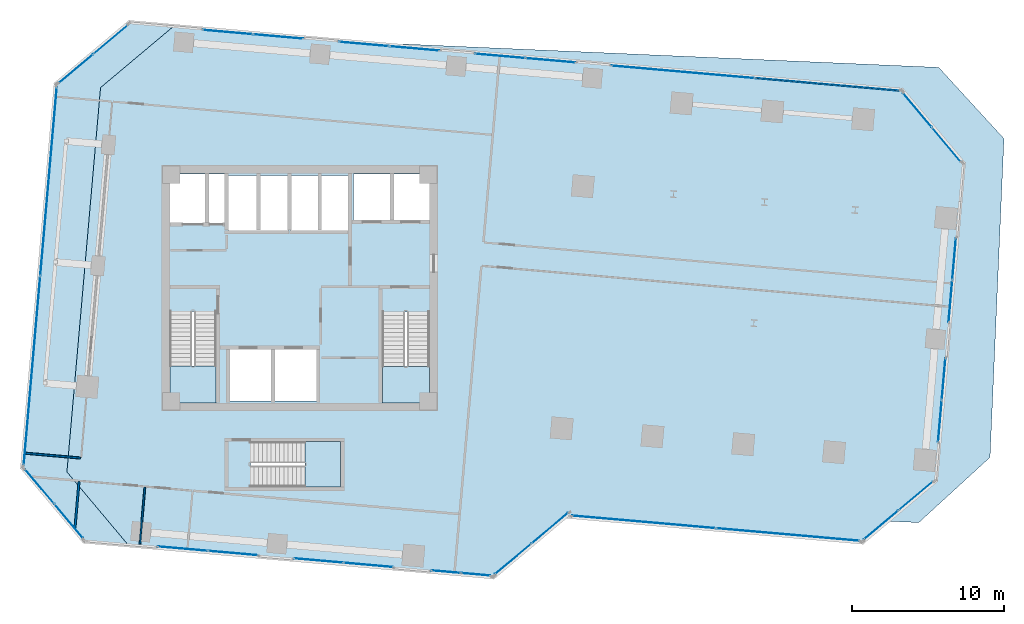
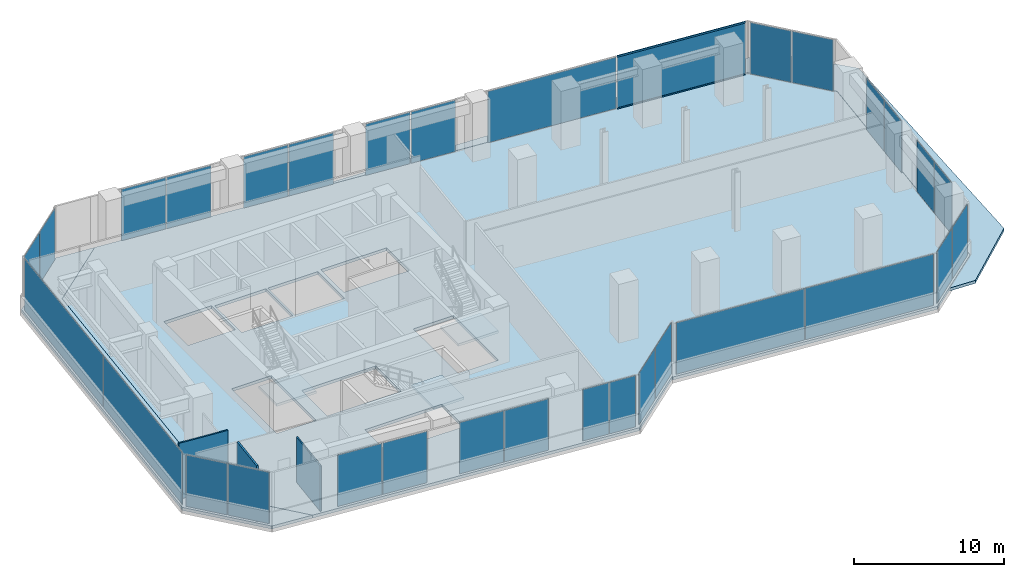
# One storey, part 19 of 24: 32 plates, 6 slabs, 3 walls, 2 members, 19 elements without a shape of their own.
"""IFC4 building model written with IfcOpenShell, lengths in metres."""

from ifc_helpers import new_model, si_unit, direction, frame, frame_2d, origin, origin_2d, place, context, subcontext, project, spatial, polyline, rectangle, hollow_rectangle, outline, extrude, source, transform, mapped, material, layer, layer_set, material_profile, profile_set, type_object, element, aggregate, save


model = new_model("IFC4")

# Units and contexts
model_context = context("Model", 3, precision=1e-05, world=origin(), true_north=direction((0.0, 1.0)))
body_context = subcontext(model_context, "Body", "Model", "MODEL_VIEW")
ifc_project = project(units=[si_unit("LENGTHUNIT", "METRE"), si_unit("AREAUNIT", "SQUARE_METRE"), si_unit("VOLUMEUNIT", "CUBIC_METRE"), si_unit("PLANEANGLEUNIT", "RADIAN"), si_unit("MASSUNIT", "GRAM", prefix="KILO")], contexts=[model_context])

# Site, building, storey
site_placement = place(None, origin())
site = spatial("IfcSite", under=ifc_project, at=site_placement, CompositionType="ELEMENT")
building_placement = place(site_placement, origin())
building = spatial("IfcBuilding", under=site, at=building_placement, Name="Torre Montelarca", CompositionType="ELEMENT")
storey_placement = place(building_placement, frame((0.0, 0.0, 47.199951171875)))
storey = spatial("IfcBuildingStorey", under=building, at=storey_placement, Name="L10", CompositionType="ELEMENT", Elevation=47.199951171875)

# Curtain wall, members
ifc_material_1 = material(Name="Insulated low-E laminated glass", Category="glass")
curtain_wall_type = type_object("IfcCurtainWallType", Name="CW-SYS-Z1", PredefinedType="USERDEFINED", material=ifc_material_1)
curtain_wall_1_placement = place(storey_placement, origin())
curtain_wall_1 = element("IfcCurtainWall", 1, at=curtain_wall_1_placement, inside=storey, type_object=curtain_wall_type, Name="L10 Curtain Wall Run CW-T3-L10-E08-B1", ObjectType="UNITISED GLAZING", PredefinedType="USERDEFINED")
ifc_material_2 = material(Name="Anodised aluminium AA 6063-T6", Category="aluminium")
ifc_material_profile = material_profile(ifc_material_2, hollow_rectangle(XDim=0.06494140625, YDim=0.139892578125, WallThickness=0.00390625, InnerFilletRadius=0.00390625, OuterFilletRadius=0.008056640625, at=origin_2d()), Name="ALU65X140X4", Category="aluminium")
ifc_profile_set = profile_set([ifc_material_profile], Name="Anodised aluminium AA 6063-T6")
member_type = type_object("IfcMemberType", Name="CWT-ALU140", PredefinedType="USERDEFINED", material=ifc_profile_set)
shared_shape_1 = source(origin(), body_context, "Body", "SweptSolid", [
    extrude(hollow_rectangle(XDim=0.06494140625, YDim=0.139892578125, WallThickness=0.00390625, InnerFilletRadius=0.00390625, OuterFilletRadius=0.008056640625, at=origin_2d()), origin(), (0.0, 0.0, 1.0), 9.454345703125),
])
member_1_placement = place(storey_placement, frame((57.437744140625, 44.987060546875, 0.032470703125), z_axis=(-0.996192764447, 0.087177841588, 0.0), x_axis=(-0.087177841588, -0.996192764447, 0.0)))
member_1 = element("IfcMember", 2, at=member_1_placement, type_object=member_type, Name="CW transom 1.1", ObjectType="TRANSOM", PredefinedType="USERDEFINED", context=body_context, shape_type="MappedRepresentation", body=[
    mapped(shared_shape_1, transform((0.0, 0.0, 0.0), scale=1.0)),
])
member_2_placement = place(storey_placement, frame((57.437744140625, 44.987060546875, 4.28759765625), z_axis=(-0.996192764447, 0.087177841588, 0.0), x_axis=(-0.087177841588, -0.996192764447, 0.0)))
member_2 = element("IfcMember", 3, at=member_2_placement, type_object=member_type, Name="CW transom 1.2", ObjectType="TRANSOM", PredefinedType="USERDEFINED", context=body_context, shape_type="MappedRepresentation", body=[
    mapped(shared_shape_1, transform((0.0, 0.0, 0.0), scale=1.0)),
])

# Slabs
ifc_material_3 = material(Name="Concrete C40/50", Category="concrete")
ifc_layer_1 = layer(ifc_material_3, 0.239990234375, Name="Concrete C40/50", Category="concrete")
ifc_layer_set_1 = layer_set([ifc_layer_1], Name="Concrete C40/50")
slab_type_1 = type_object("IfcSlabType", Name="SL-FLR-240", PredefinedType="FLOOR", material=ifc_layer_set_1)
slab_1_placement = place(storey_placement, frame((0.0, 0.0, -0.239990234375)))
element("IfcSlab", 4, at=slab_1_placement, inside=storey, type_object=slab_type_1, Name="L10 Structural Floor Slab", PredefinedType="FLOOR", context=body_context, shape_type="SweptSolid", body=[
    extrude(outline(polyline([(30.772216796875, 12.919189453125), (35.6474609375, 17.010009765625), (35.638671875, 16.910400390625), (55.064453125, 15.210693359375), (59.939453125, 19.301513671875), (61.769775390625, 40.221435546875), (57.67919921875, 45.0966796875), (9.76220703125, 49.288818359375), (4.88720703125, 45.197998046875), (2.67333984375, 19.894775390625), (6.763916015625, 15.019775390625), (30.772216796875, 12.919189453125)]), holes=[polyline([(20.699951171875, 18.89990234375), (14.760009765625, 18.89990234375), (14.760009765625, 21.889892578125), (20.699951171875, 21.889892578125), (20.699951171875, 18.89990234375)]), polyline([(19.10009765625, 24.550048828125), (13.39990234375, 24.550048828125), (13.39990234375, 27.949951171875), (19.10009765625, 27.949951171875), (19.10009765625, 24.550048828125)]), polyline([(23.43994140625, 24.449951171875), (23.43994140625, 30.429931640625), (26.550048828125, 30.429931640625), (26.550048828125, 24.449951171875), (23.43994140625, 24.449951171875)]), polyline([(9.449951171875, 24.449951171875), (9.449951171875, 30.4599609375), (12.5, 30.4599609375), (12.5, 24.449951171875), (9.449951171875, 24.449951171875)]), polyline([(17.25, 35.800048828125), (13.300048828125, 35.800048828125), (13.300048828125, 39.39990234375), (17.25, 39.39990234375), (17.25, 35.800048828125)]), polyline([(21.25, 35.800048828125), (17.39990234375, 35.800048828125), (17.39990234375, 39.39990234375), (21.25, 39.39990234375), (21.25, 35.800048828125)]), polyline([(13.1201171875, 36.300048828125), (9.449951171875, 36.300048828125), (9.449951171875, 39.5), (13.1201171875, 39.5), (13.1201171875, 36.300048828125)]), polyline([(26.60009765625, 36.449951171875), (21.550048828125, 36.449951171875), (21.550048828125, 39.5), (26.60009765625, 39.5), (26.60009765625, 36.449951171875)])]), origin(), (0.0, 0.0, 1.0), 0.239990234375),
])
slab_2_placement = place(storey_placement, frame((0.0, 0.0, -0.239990234375)))
element("IfcSlab", 5, at=slab_2_placement, inside=storey, type_object=slab_type_1, Name="L10 Sliding Tray Winter Garden Floor Slab W1", PredefinedType="FLOOR", context=body_context, shape_type="SweptSolid", body=[
    extrude(outline(polyline([(6.763916015625, 15.019775390625), (2.67333984375, 19.894775390625), (4.88720703125, 45.197998046875), (9.76220703125, 49.288818359375), (6.773681640625, 49.55029296875), (1.8984375, 45.459716796875), (-0.315185546875, 20.15625), (3.775390625, 15.28125), (6.763916015625, 15.019775390625)])), origin(), (0.0, 0.0, 1.0), 0.239990234375),
])
ifc_material_4 = material(Name="Architectural concrete C40/50", Category="concrete")
ifc_layer_2 = layer(ifc_material_4, 0.239990234375, Name="Architectural concrete C40/50", Category="concrete")
ifc_layer_set_2 = layer_set([ifc_layer_2], Name="Architectural concrete C40/50")
slab_type_2 = type_object("IfcSlabType", Name="SL-ROOF-EXT-240", PredefinedType="ROOF", material=ifc_layer_set_2)
slab_3_placement = place(storey_placement, frame((0.0, 0.0, -0.239990234375)))
element("IfcSlab", 6, at=slab_3_placement, inside=storey, type_object=slab_type_2, Name="L09 Setback and Tray Overhang Roof Cap Slab 01", PredefinedType="ROOF", context=body_context, shape_type="SweptSolid", body=[
    extrude(outline(polyline([(57.68310546875, 45.104248046875), (61.778076171875, 40.22412109375), (59.947265625, 19.297607421875), (56.78759765625, 16.646240234375), (58.761962890625, 16.56005859375), (63.4541015625, 20.859375), (64.3701171875, 41.83935546875), (60.070556640625, 46.531494140625), (22.74267578125, 48.1611328125), (57.68310546875, 45.104248046875)])), origin(), (0.0, 0.0, 1.0), 0.239990234375),
])

# Stair, slab
stair_type_1 = type_object("IfcStairType", Name="ST-CORE-ST1", PredefinedType="HALF_TURN_STAIR", material=ifc_material_3)
stair_1_placement = place(storey_placement, origin())
stair_1 = element("IfcStair", 7, at=stair_1_placement, inside=storey, type_object=stair_type_1, Name="L10 Protected Exit Stair ST1", PredefinedType="HALF_TURN_STAIR")
ifc_layer_3 = layer(ifc_material_3, 0.199951171875, Name="Concrete C40/50", Category="concrete")
ifc_layer_set_3 = layer_set([ifc_layer_3], Name="Concrete C40/50")
slab_type_3 = type_object("IfcSlabType", Name="SL-ST-LAND-ST1", PredefinedType="LANDING", material=ifc_layer_set_3)
slab_4_placement = place(storey_placement, frame((0.0, 0.0, 2.199951171875)))
slab_4 = element("IfcSlab", 8, at=slab_4_placement, type_object=slab_type_3, Name="ST1 landing 1", PredefinedType="LANDING", context=body_context, shape_type="SweptSolid", body=[
    extrude(outline(polyline([(9.449951171875, 26.860107421875), (9.449951171875, 24.449951171875), (12.5, 24.449951171875), (12.5, 26.860107421875), (9.449951171875, 26.860107421875)])), origin(), (0.0, 0.0, 1.0), 0.2001953125),
])
aggregate(stair_1, [slab_4])

stair_type_2 = type_object("IfcStairType", Name="ST-CORE-ST2", PredefinedType="HALF_TURN_STAIR", material=ifc_material_3)
stair_2_placement = place(storey_placement, origin())
stair_2 = element("IfcStair", 9, at=stair_2_placement, inside=storey, type_object=stair_type_2, Name="L10 Protected Exit Stair ST2", PredefinedType="HALF_TURN_STAIR")
ifc_layer_4 = layer(ifc_material_3, 0.199951171875, Name="Concrete C40/50", Category="concrete")
ifc_layer_set_4 = layer_set([ifc_layer_4], Name="Concrete C40/50")
slab_type_4 = type_object("IfcSlabType", Name="SL-ST-LAND-ST2", PredefinedType="LANDING", material=ifc_layer_set_4)
slab_5_placement = place(storey_placement, frame((0.0, 0.0, 2.199951171875)))
slab_5 = element("IfcSlab", 10, at=slab_5_placement, type_object=slab_type_4, Name="ST2 landing 1", PredefinedType="LANDING", context=body_context, shape_type="SweptSolid", body=[
    extrude(outline(polyline([(23.43994140625, 26.830078125), (23.43994140625, 24.449951171875), (26.550048828125, 24.449951171875), (26.550048828125, 26.830078125), (23.43994140625, 26.830078125)])), origin(), (0.0, 0.0, 1.0), 0.2001953125),
])
aggregate(stair_2, [slab_5])

stair_type_3 = type_object("IfcStairType", Name="ST-CORE-ST3", PredefinedType="HALF_TURN_STAIR", material=ifc_material_3)
stair_3_placement = place(storey_placement, origin())
stair_3 = element("IfcStair", 11, at=stair_3_placement, inside=storey, type_object=stair_type_3, Name="L10 Low-Rise Exit Stair ST3", PredefinedType="HALF_TURN_STAIR")
ifc_layer_5 = layer(ifc_material_3, 0.199951171875, Name="Concrete C40/50", Category="concrete")
ifc_layer_set_5 = layer_set([ifc_layer_5], Name="Concrete C40/50")
slab_type_5 = type_object("IfcSlabType", Name="SL-ST-LAND-ST3", PredefinedType="LANDING", material=ifc_layer_set_5)
slab_6_placement = place(storey_placement, frame((0.0, 0.0, 2.199951171875)))
slab_6 = element("IfcSlab", 12, at=slab_6_placement, type_object=slab_type_5, Name="ST3 landing 1", PredefinedType="LANDING", context=body_context, shape_type="SweptSolid", body=[
    extrude(outline(polyline([(18.360107421875, 18.89990234375), (20.699951171875, 18.89990234375), (20.699951171875, 21.889892578125), (18.360107421875, 21.889892578125), (18.360107421875, 18.89990234375)])), origin(), (0.0, 0.0, 1.0), 0.2001953125),
])
aggregate(stair_3, [slab_6])

# Curtain wall, plates
curtain_wall_2_placement = place(storey_placement, origin())
curtain_wall_2 = element("IfcCurtainWall", 13, at=curtain_wall_2_placement, inside=storey, type_object=curtain_wall_type, Name="L10 Curtain Wall Run CW-T3-L10-E01-B1", ObjectType="UNITISED GLAZING", PredefinedType="USERDEFINED")
ifc_layer_6 = layer(ifc_material_1, 0.028076171875, Name="Insulated low-E laminated glass", Category="glass")
ifc_layer_set_6 = layer_set([ifc_layer_6], Name="Insulated low-E laminated glass")
plate_type = type_object("IfcPlateType", Name="CWP-GLZ-28", PredefinedType="CURTAIN_PANEL", material=ifc_layer_set_6)
shared_shape_2 = source(origin(), body_context, "Body", "SweptSolid", [
    extrude(rectangle(XDim=3.2724609375, YDim=0.028076171875, at=origin_2d()), origin(), (0.0, 0.0, 1.0), 4.18994140625),
])
plate_1_placement = place(storey_placement, frame((10.293212890625, 14.841552734375, 0.065185546875), z_axis=(0.0, 0.0, 1.0), x_axis=(0.9961937336, -0.087166766231, 0.0)))
plate_1 = element("IfcPlate", 14, at=plate_1_placement, type_object=plate_type, Name="CW panel 1.1", PredefinedType="CURTAIN_PANEL", context=body_context, shape_type="MappedRepresentation", body=[
    mapped(shared_shape_2, transform((0.0, 0.0, 0.0), scale=1.0)),
])
plate_2_placement = place(storey_placement, frame((13.617919921875, 14.550537109375, 0.065185546875), z_axis=(0.0, 0.0, 1.0), x_axis=(0.9961937336, -0.087166766231, 0.0)))
plate_2 = element("IfcPlate", 15, at=plate_2_placement, type_object=plate_type, Name="CW panel 2.1", PredefinedType="CURTAIN_PANEL", context=body_context, shape_type="MappedRepresentation", body=[
    mapped(shared_shape_2, transform((0.0, 0.0, 0.0), scale=1.0)),
])
aggregate(curtain_wall_2, [plate_1, plate_2])

curtain_wall_3_placement = place(storey_placement, origin())
curtain_wall_3 = element("IfcCurtainWall", 16, at=curtain_wall_3_placement, inside=storey, type_object=curtain_wall_type, Name="L10 Curtain Wall Run CW-T3-L10-E08-B2", ObjectType="UNITISED GLAZING", PredefinedType="USERDEFINED")
plate_3_placement = place(storey_placement, frame((34.52490234375, 46.991943359375, 0.065185546875), z_axis=(0.0, 0.0, 1.0), x_axis=(-0.996195021855, 0.087152042037, 0.0)))
plate_3 = element("IfcPlate", 17, at=plate_3_placement, type_object=plate_type, Name="CW panel 1.1", PredefinedType="CURTAIN_PANEL", context=body_context, shape_type="MappedRepresentation", body=[
    mapped(shared_shape_2, transform((0.0, 0.0, 0.0), scale=1.0)),
])
plate_4_placement = place(storey_placement, frame((31.2001953125, 47.28271484375, 0.065185546875), z_axis=(0.0, 0.0, 1.0), x_axis=(-0.996195021855, 0.087152042037, 0.0)))
plate_4 = element("IfcPlate", 18, at=plate_4_placement, type_object=plate_type, Name="CW panel 2.1", PredefinedType="CURTAIN_PANEL", context=body_context, shape_type="MappedRepresentation", body=[
    mapped(shared_shape_2, transform((0.0, 0.0, 0.0), scale=1.0)),
])
aggregate(curtain_wall_3, [plate_3, plate_4])

curtain_wall_4_placement = place(storey_placement, origin())
curtain_wall_4 = element("IfcCurtainWall", 19, at=curtain_wall_4_placement, inside=storey, type_object=curtain_wall_type, Name="L10 Curtain Wall Run CW-T3-L10-E08-B3", ObjectType="UNITISED GLAZING", PredefinedType="USERDEFINED")
plate_5_placement = place(storey_placement, frame((25.559326171875, 47.7763671875, 0.065185546875), z_axis=(0.0, 0.0, 1.0), x_axis=(-0.996195134546, 0.087150753912, 0.0)))
plate_5 = element("IfcPlate", 20, at=plate_5_placement, type_object=plate_type, Name="CW panel 1.1", PredefinedType="CURTAIN_PANEL", context=body_context, shape_type="MappedRepresentation", body=[
    mapped(shared_shape_2, transform((0.0, 0.0, 0.0), scale=1.0)),
])
plate_6_placement = place(storey_placement, frame((22.234375, 48.067138671875, 0.065185546875), z_axis=(0.0, 0.0, 1.0), x_axis=(-0.996195134546, 0.087150753912, 0.0)))
plate_6 = element("IfcPlate", 21, at=plate_6_placement, type_object=plate_type, Name="CW panel 2.1", PredefinedType="CURTAIN_PANEL", context=body_context, shape_type="MappedRepresentation", body=[
    mapped(shared_shape_2, transform((0.0, 0.0, 0.0), scale=1.0)),
])
aggregate(curtain_wall_4, [plate_5, plate_6])

curtain_wall_5_placement = place(storey_placement, origin())
curtain_wall_5 = element("IfcCurtainWall", 22, at=curtain_wall_5_placement, inside=storey, type_object=curtain_wall_type, Name="L10 Curtain Wall Run CW-T3-L10-E08-B4", ObjectType="UNITISED GLAZING", PredefinedType="USERDEFINED")
plate_7_placement = place(storey_placement, frame((16.593505859375, 48.560791015625, 0.065185546875), z_axis=(0.0, 0.0, 1.0), x_axis=(-0.9961937336, 0.087166766231, 0.0)))
plate_7 = element("IfcPlate", 23, at=plate_7_placement, type_object=plate_type, Name="CW panel 1.1", PredefinedType="CURTAIN_PANEL", context=body_context, shape_type="MappedRepresentation", body=[
    mapped(shared_shape_2, transform((0.0, 0.0, 0.0), scale=1.0)),
])
plate_8_placement = place(storey_placement, frame((13.2685546875, 48.8515625, 0.065185546875), z_axis=(0.0, 0.0, 1.0), x_axis=(-0.9961937336, 0.087166766231, 0.0)))
plate_8 = element("IfcPlate", 24, at=plate_8_placement, type_object=plate_type, Name="CW panel 2.1", PredefinedType="CURTAIN_PANEL", context=body_context, shape_type="MappedRepresentation", body=[
    mapped(shared_shape_2, transform((0.0, 0.0, 0.0), scale=1.0)),
])
aggregate(curtain_wall_5, [plate_7, plate_8])

curtain_wall_6_placement = place(storey_placement, origin())
curtain_wall_6 = element("IfcCurtainWall", 25, at=curtain_wall_6_placement, inside=storey, type_object=curtain_wall_type, Name="L10 Curtain Wall Run CW-T3-L10-E05-B1", ObjectType="UNITISED GLAZING", PredefinedType="USERDEFINED")
shared_shape_3 = source(origin(), body_context, "Body", "SweptSolid", [
    extrude(rectangle(XDim=2.918701171875, YDim=0.028076171875, at=origin_2d()), origin(), (0.0, 0.0, 1.0), 4.18994140625),
])
plate_9_placement = place(storey_placement, frame((56.275634765625, 16.396728515625, 0.065185546875), z_axis=(0.0, 0.0, 1.0), x_axis=(0.766042761233, 0.642789614074, 0.0)))
plate_9 = element("IfcPlate", 26, at=plate_9_placement, type_object=plate_type, Name="CW panel 1.1", PredefinedType="CURTAIN_PANEL", context=body_context, shape_type="MappedRepresentation", body=[
    mapped(shared_shape_3, transform((0.0, 0.0, 0.0), scale=1.0)),
])
plate_10_placement = place(storey_placement, frame((58.561279296875, 18.314697265625, 0.065185546875), z_axis=(0.0, 0.0, 1.0), x_axis=(0.766042761233, 0.642789614074, 0.0)))
plate_10 = element("IfcPlate", 27, at=plate_10_placement, type_object=plate_type, Name="CW panel 2.1", PredefinedType="CURTAIN_PANEL", context=body_context, shape_type="MappedRepresentation", body=[
    mapped(shared_shape_3, transform((0.0, 0.0, 0.0), scale=1.0)),
])
aggregate(curtain_wall_6, [plate_9, plate_10])

curtain_wall_7_placement = place(storey_placement, origin())
curtain_wall_7 = element("IfcCurtainWall", 28, at=curtain_wall_7_placement, inside=storey, type_object=curtain_wall_type, Name="L10 Curtain Wall Run CW-T3-L10-E07-B1", ObjectType="UNITISED GLAZING", PredefinedType="USERDEFINED")
plate_11_placement = place(storey_placement, frame((60.583740234375, 41.4326171875, 0.065185546875), z_axis=(0.0, 0.0, 1.0), x_axis=(-0.642789614074, 0.766042761233, 0.0)))
plate_11 = element("IfcPlate", 29, at=plate_11_placement, type_object=plate_type, Name="CW panel 1.1", PredefinedType="CURTAIN_PANEL", context=body_context, shape_type="MappedRepresentation", body=[
    mapped(shared_shape_3, transform((0.0, 0.0, 0.0), scale=1.0)),
])
plate_12_placement = place(storey_placement, frame((58.666015625, 43.71826171875, 0.065185546875), z_axis=(0.0, 0.0, 1.0), x_axis=(-0.642789614074, 0.766042761233, 0.0)))
plate_12 = element("IfcPlate", 30, at=plate_12_placement, type_object=plate_type, Name="CW panel 2.1", PredefinedType="CURTAIN_PANEL", context=body_context, shape_type="MappedRepresentation", body=[
    mapped(shared_shape_3, transform((0.0, 0.0, 0.0), scale=1.0)),
])
aggregate(curtain_wall_7, [plate_11, plate_12])

curtain_wall_8_placement = place(storey_placement, origin())
curtain_wall_8 = element("IfcCurtainWall", 31, at=curtain_wall_8_placement, inside=storey, type_object=curtain_wall_type, Name="L10 Curtain Wall Run CW-T3-L10-E09-B1", ObjectType="UNITISED GLAZING", PredefinedType="USERDEFINED")
plate_13_placement = place(storey_placement, frame((5.5625, 48.3642578125, 0.065185546875), z_axis=(0.0, 0.0, 1.0), x_axis=(-0.766042761233, -0.642789614074, 0.0)))
plate_13 = element("IfcPlate", 32, at=plate_13_placement, type_object=plate_type, Name="CW panel 1.1", PredefinedType="CURTAIN_PANEL", context=body_context, shape_type="MappedRepresentation", body=[
    mapped(shared_shape_3, transform((0.0, 0.0, 0.0), scale=1.0)),
])
plate_14_placement = place(storey_placement, frame((3.27685546875, 46.446533203125, 0.065185546875), z_axis=(0.0, 0.0, 1.0), x_axis=(-0.766042761233, -0.642789614074, 0.0)))
plate_14 = element("IfcPlate", 33, at=plate_14_placement, type_object=plate_type, Name="CW panel 2.1", PredefinedType="CURTAIN_PANEL", context=body_context, shape_type="MappedRepresentation", body=[
    mapped(shared_shape_3, transform((0.0, 0.0, 0.0), scale=1.0)),
])
aggregate(curtain_wall_8, [plate_13, plate_14])

curtain_wall_9_placement = place(storey_placement, origin())
curtain_wall_9 = element("IfcCurtainWall", 34, at=curtain_wall_9_placement, inside=storey, type_object=curtain_wall_type, Name="L10 Curtain Wall Run CW-T3-L10-E11-B1", ObjectType="UNITISED GLAZING", PredefinedType="USERDEFINED")
plate_15_placement = place(storey_placement, frame((0.87060546875, 18.945068359375, 0.065185546875), z_axis=(0.0, 0.0, 1.0), x_axis=(0.642789614074, -0.766042761233, 0.0)))
plate_15 = element("IfcPlate", 35, at=plate_15_placement, type_object=plate_type, Name="CW panel 1.1", PredefinedType="CURTAIN_PANEL", context=body_context, shape_type="MappedRepresentation", body=[
    mapped(shared_shape_3, transform((0.0, 0.0, 0.0), scale=1.0)),
])
plate_16_placement = place(storey_placement, frame((2.78857421875, 16.659423828125, 0.065185546875), z_axis=(0.0, 0.0, 1.0), x_axis=(0.642789614074, -0.766042761233, 0.0)))
plate_16 = element("IfcPlate", 36, at=plate_16_placement, type_object=plate_type, Name="CW panel 2.1", PredefinedType="CURTAIN_PANEL", context=body_context, shape_type="MappedRepresentation", body=[
    mapped(shared_shape_3, transform((0.0, 0.0, 0.0), scale=1.0)),
])
aggregate(curtain_wall_9, [plate_15, plate_16])

curtain_wall_10_placement = place(storey_placement, origin())
curtain_wall_10 = element("IfcCurtainWall", 37, at=curtain_wall_10_placement, inside=storey, type_object=curtain_wall_type, Name="L10 Curtain Wall Run CW-T3-L10-E06-B1", ObjectType="UNITISED GLAZING", PredefinedType="USERDEFINED")
shared_shape_4 = source(origin(), body_context, "Body", "SweptSolid", [
    extrude(rectangle(XDim=2.735107421875, YDim=0.028076171875, at=origin_2d()), origin(), (0.0, 0.0, 1.0), 4.18994140625),
])
plate_17_placement = place(storey_placement, frame((60.153076171875, 23.2353515625, 0.065185546875), z_axis=(0.0, 0.0, 1.0), x_axis=(0.087165855403, 0.996193813297, 0.0)))
plate_17 = element("IfcPlate", 38, at=plate_17_placement, type_object=plate_type, Name="CW panel 1.1", PredefinedType="CURTAIN_PANEL", context=body_context, shape_type="MappedRepresentation", body=[
    mapped(shared_shape_4, transform((0.0, 0.0, 0.0), scale=1.0)),
])
plate_18_placement = place(storey_placement, frame((60.397216796875, 26.024658203125, 0.065185546875), z_axis=(0.0, 0.0, 1.0), x_axis=(0.087165855403, 0.996193813297, 0.0)))
plate_18 = element("IfcPlate", 39, at=plate_18_placement, type_object=plate_type, Name="CW panel 2.1", PredefinedType="CURTAIN_PANEL", context=body_context, shape_type="MappedRepresentation", body=[
    mapped(shared_shape_4, transform((0.0, 0.0, 0.0), scale=1.0)),
])
aggregate(curtain_wall_10, [plate_17, plate_18])

curtain_wall_11_placement = place(storey_placement, origin())
curtain_wall_11 = element("IfcCurtainWall", 40, at=curtain_wall_11_placement, inside=storey, type_object=curtain_wall_type, Name="L10 Curtain Wall Run CW-T3-L10-E06-B2", ObjectType="UNITISED GLAZING", PredefinedType="USERDEFINED")
plate_19_placement = place(storey_placement, frame((60.84375, 31.130126953125, 0.065185546875), z_axis=(0.0, 0.0, 1.0), x_axis=(0.087165855403, 0.996193813297, 0.0)))
plate_19 = element("IfcPlate", 41, at=plate_19_placement, type_object=plate_type, Name="CW panel 1.1", PredefinedType="CURTAIN_PANEL", context=body_context, shape_type="MappedRepresentation", body=[
    mapped(shared_shape_4, transform((0.0, 0.0, 0.0), scale=1.0)),
])
plate_20_placement = place(storey_placement, frame((61.087890625, 33.91943359375, 0.065185546875), z_axis=(0.0, 0.0, 1.0), x_axis=(0.087165855403, 0.996193813297, 0.0)))
plate_20 = element("IfcPlate", 42, at=plate_20_placement, type_object=plate_type, Name="CW panel 2.1", PredefinedType="CURTAIN_PANEL", context=body_context, shape_type="MappedRepresentation", body=[
    mapped(shared_shape_4, transform((0.0, 0.0, 0.0), scale=1.0)),
])
aggregate(curtain_wall_11, [plate_19, plate_20])

curtain_wall_12_placement = place(storey_placement, origin())
curtain_wall_12 = element("IfcCurtainWall", 43, at=curtain_wall_12_placement, inside=storey, type_object=curtain_wall_type, Name="L10 Curtain Wall Run CW-T3-L10-E01-B2", ObjectType="UNITISED GLAZING", PredefinedType="USERDEFINED")
shared_shape_5 = source(origin(), body_context, "Body", "SweptSolid", [
    extrude(rectangle(XDim=3.235107421875, YDim=0.028076171875, at=origin_2d()), origin(), (0.0, 0.0, 1.0), 4.18994140625),
])
plate_21_placement = place(storey_placement, frame((19.240234375, 14.058837890625, 0.065185546875), z_axis=(0.0, 0.0, 1.0), x_axis=(0.996193375493, -0.087170858802, 0.0)))
plate_21 = element("IfcPlate", 44, at=plate_21_placement, type_object=plate_type, Name="CW panel 1.1", PredefinedType="CURTAIN_PANEL", context=body_context, shape_type="MappedRepresentation", body=[
    mapped(shared_shape_5, transform((0.0, 0.0, 0.0), scale=1.0)),
])
plate_22_placement = place(storey_placement, frame((22.527587890625, 13.77099609375, 0.065185546875), z_axis=(0.0, 0.0, 1.0), x_axis=(0.996193375493, -0.087170858802, 0.0)))
plate_22 = element("IfcPlate", 45, at=plate_22_placement, type_object=plate_type, Name="CW panel 2.1", PredefinedType="CURTAIN_PANEL", context=body_context, shape_type="MappedRepresentation", body=[
    mapped(shared_shape_5, transform((0.0, 0.0, 0.0), scale=1.0)),
])
aggregate(curtain_wall_12, [plate_21, plate_22])

curtain_wall_13_placement = place(storey_placement, origin())
curtain_wall_13 = element("IfcCurtainWall", 46, at=curtain_wall_13_placement, inside=storey, type_object=curtain_wall_type, Name="L10 Curtain Wall Run CW-T3-L10-E01-B3", ObjectType="UNITISED GLAZING", PredefinedType="USERDEFINED")
shared_shape_6 = source(origin(), body_context, "Body", "SweptSolid", [
    extrude(rectangle(XDim=1.9169921875, YDim=0.028076171875, at=origin_2d()), origin(), (0.0, 0.0, 1.0), 4.18994140625),
])
plate_23_placement = place(storey_placement, frame((27.624267578125, 13.3251953125, 0.065185546875), z_axis=(0.0, 0.0, 1.0), x_axis=(0.996193879133, -0.087165102987, 0.0)))
plate_23 = element("IfcPlate", 47, at=plate_23_placement, type_object=plate_type, Name="CW panel 1.1", PredefinedType="CURTAIN_PANEL", context=body_context, shape_type="MappedRepresentation", body=[
    mapped(shared_shape_6, transform((0.0, 0.0, 0.0), scale=1.0)),
])
plate_24_placement = place(storey_placement, frame((29.598876953125, 13.15234375, 0.065185546875), z_axis=(0.0, 0.0, 1.0), x_axis=(0.996193879133, -0.087165102987, 0.0)))
plate_24 = element("IfcPlate", 48, at=plate_24_placement, type_object=plate_type, Name="CW panel 2.1", PredefinedType="CURTAIN_PANEL", context=body_context, shape_type="MappedRepresentation", body=[
    mapped(shared_shape_6, transform((0.0, 0.0, 0.0), scale=1.0)),
])
aggregate(curtain_wall_13, [plate_23, plate_24])

curtain_wall_14_placement = place(storey_placement, origin())
curtain_wall_14 = element("IfcCurtainWall", 49, at=curtain_wall_14_placement, inside=storey, type_object=curtain_wall_type, Name="L10 Curtain Wall Run CW-T3-L10-E02-B1", ObjectType="UNITISED GLAZING", PredefinedType="USERDEFINED")
shared_shape_7 = source(origin(), body_context, "Body", "SweptSolid", [
    extrude(rectangle(XDim=3.102783203125, YDim=0.028076171875, at=origin_2d()), origin(), (0.0, 0.0, 1.0), 4.18994140625),
])
plate_25_placement = place(storey_placement, frame((32.053955078125, 14.16455078125, 0.065185546875), z_axis=(0.0, 0.0, 1.0), x_axis=(0.766052558945, 0.642777937498, 0.0)))
plate_25 = element("IfcPlate", 50, at=plate_25_placement, type_object=plate_type, Name="CW panel 1.1", PredefinedType="CURTAIN_PANEL", context=body_context, shape_type="MappedRepresentation", body=[
    mapped(shared_shape_7, transform((0.0, 0.0, 0.0), scale=1.0)),
])
plate_26_placement = place(storey_placement, frame((34.480712890625, 16.200439453125, 0.065185546875), z_axis=(0.0, 0.0, 1.0), x_axis=(0.766052558945, 0.642777937498, 0.0)))
plate_26 = element("IfcPlate", 51, at=plate_26_placement, type_object=plate_type, Name="CW panel 2.1", PredefinedType="CURTAIN_PANEL", context=body_context, shape_type="MappedRepresentation", body=[
    mapped(shared_shape_7, transform((0.0, 0.0, 0.0), scale=1.0)),
])
aggregate(curtain_wall_14, [plate_25, plate_26])

curtain_wall_15_placement = place(storey_placement, origin())
curtain_wall_15 = element("IfcCurtainWall", 52, at=curtain_wall_15_placement, inside=storey, type_object=curtain_wall_type, Name="L10 Curtain Wall Run CW-T3-L10-E04-B1", ObjectType="UNITISED GLAZING", PredefinedType="USERDEFINED")
shared_shape_8 = source(origin(), body_context, "Body", "SweptSolid", [
    extrude(rectangle(XDim=9.448486328125, YDim=0.028076171875, at=origin_2d()), origin(), (0.0, 0.0, 1.0), 4.18994140625),
])
plate_27_placement = place(storey_placement, frame((40.662109375, 16.601318359375, 0.065185546875), z_axis=(0.0, 0.0, 1.0), x_axis=(0.996194160936, -0.087161882244, 0.0)))
plate_27 = element("IfcPlate", 53, at=plate_27_placement, type_object=plate_type, Name="CW panel 1.1", PredefinedType="CURTAIN_PANEL", context=body_context, shape_type="MappedRepresentation", body=[
    mapped(shared_shape_8, transform((0.0, 0.0, 0.0), scale=1.0)),
])
plate_28_placement = place(storey_placement, frame((50.139404296875, 15.772216796875, 0.065185546875), z_axis=(0.0, 0.0, 1.0), x_axis=(0.996194160936, -0.087161882244, 0.0)))
plate_28 = element("IfcPlate", 54, at=plate_28_placement, type_object=plate_type, Name="CW panel 2.1", PredefinedType="CURTAIN_PANEL", context=body_context, shape_type="MappedRepresentation", body=[
    mapped(shared_shape_8, transform((0.0, 0.0, 0.0), scale=1.0)),
])
aggregate(curtain_wall_15, [plate_27, plate_28])

# Plate
shared_shape_9 = source(origin(), body_context, "Body", "SweptSolid", [
    extrude(rectangle(XDim=9.45458984375, YDim=0.028076171875, at=origin_2d()), origin(), (0.0, 0.0, 1.0), 4.18994140625),
])
plate_29_placement = place(storey_placement, frame((52.728515625, 45.399169921875, 0.065185546875), z_axis=(0.0, 0.0, 1.0), x_axis=(-0.996194387908, 0.087159288088, 0.0)))
plate_29 = element("IfcPlate", 55, at=plate_29_placement, type_object=plate_type, Name="CW panel 1.1", PredefinedType="CURTAIN_PANEL", context=body_context, shape_type="MappedRepresentation", body=[
    mapped(shared_shape_9, transform((0.0, 0.0, 0.0), scale=1.0)),
])

plate_30_placement = place(storey_placement, frame((43.2451171875, 46.22900390625, 0.065185546875), z_axis=(0.0, 0.0, 1.0), x_axis=(-0.996194387908, 0.087159288088, 0.0)))
plate_30 = element("IfcPlate", 56, at=plate_30_placement, type_object=plate_type, Name="CW panel 2.1", PredefinedType="CURTAIN_PANEL", context=body_context, shape_type="MappedRepresentation", body=[
    mapped(shared_shape_9, transform((0.0, 0.0, 0.0), scale=1.0)),
])

aggregate(curtain_wall_1, [member_1, member_2, plate_29, plate_30])

# Curtain wall, plates
curtain_wall_16_placement = place(storey_placement, origin())
curtain_wall_16 = element("IfcCurtainWall", 57, at=curtain_wall_16_placement, inside=storey, type_object=curtain_wall_type, Name="L10 Curtain Wall Run CW-T3-L10-E10-B1", ObjectType="UNITISED GLAZING", PredefinedType="USERDEFINED")
shared_shape_10 = source(origin(), body_context, "Body", "SweptSolid", [
    extrude(rectangle(XDim=12.4365234375, YDim=0.028076171875, at=origin_2d()), origin(), (0.0, 0.0, 1.0), 4.18994140625),
])
plate_31_placement = place(storey_placement, frame((1.4658203125, 39.023681640625, 0.065185546875), z_axis=(0.0, 0.0, 1.0), x_axis=(-0.087162199711, -0.99619413316, 0.0)))
plate_31 = element("IfcPlate", 58, at=plate_31_placement, type_object=plate_type, Name="CW panel 1.1", PredefinedType="CURTAIN_PANEL", context=body_context, shape_type="MappedRepresentation", body=[
    mapped(shared_shape_10, transform((0.0, 0.0, 0.0), scale=1.0)),
])
plate_32_placement = place(storey_placement, frame((0.376220703125, 26.569580078125, 0.065185546875), z_axis=(0.0, 0.0, 1.0), x_axis=(-0.087162199711, -0.99619413316, 0.0)))
plate_32 = element("IfcPlate", 59, at=plate_32_placement, type_object=plate_type, Name="CW panel 2.1", PredefinedType="CURTAIN_PANEL", context=body_context, shape_type="MappedRepresentation", body=[
    mapped(shared_shape_10, transform((0.0, 0.0, 0.0), scale=1.0)),
])
aggregate(curtain_wall_16, [plate_31, plate_32])

# Walls
ifc_material_5 = material(Name="Acoustic laminated glass partition", Category="glass")
ifc_layer_7 = layer(ifc_material_5, 0.10009765625, Name="Acoustic laminated glass partition", Category="glass")
ifc_layer_set_7 = layer_set([ifc_layer_7], Name="Acoustic laminated glass partition")
wall_type_1 = type_object("IfcWallType", Name="PW-GLAZ-100", PredefinedType="PARTITIONING", material=ifc_layer_set_7)
wall_1_placement = place(storey_placement, frame((7.47705078125, 15.137939453125, 0.0), z_axis=(0.0, 0.0, 1.0), x_axis=(0.087160523959, 0.996194279778, 0.0)))
element("IfcWall", 60, at=wall_1_placement, inside=storey, type_object=wall_type_1, Name="L10 Interior Partition W-L10-WCD", PredefinedType="PARTITIONING", context=body_context, shape_type="SweptSolid", body=[
    extrude(rectangle(XDim=3.770263671875, YDim=0.10009765625, at=frame_2d((1.88525390625, 0.0))), origin(), (0.0, 0.0, 1.0), 3.695068359375),
])
ifc_material_6 = material(Name="Gypsum plasterboard on steel stud", Category="steel")
ifc_layer_8 = layer(ifc_material_6, 0.114990234375, Name="Gypsum plasterboard on steel stud", Category="steel")
ifc_layer_set_8 = layer_set([ifc_layer_8], Name="Gypsum plasterboard on steel stud")
wall_type_2 = type_object("IfcWallType", Name="PW-PART-115", PredefinedType="PARTITIONING", material=ifc_layer_set_8)
wall_2_placement = place(storey_placement, frame((-0.0498046875, 21.126708984375, 0.0), z_axis=(0.0, 0.0, 1.0), x_axis=(0.996194520424, -0.087157773474, 0.0)))
element("IfcWall", 61, at=wall_2_placement, inside=storey, type_object=wall_type_2, Name="L10 Interior Partition W-L10-WWGS", PredefinedType="PARTITIONING", context=body_context, shape_type="SweptSolid", body=[
    extrude(rectangle(XDim=3.63037109375, YDim=0.114990234375, at=frame_2d((1.815185546875, 0.0))), origin(), (0.0, 0.0, 1.0), 4.56005859375),
])
ifc_layer_9 = layer(ifc_material_6, 0.135009765625, Name="Gypsum plasterboard on steel stud", Category="steel")
ifc_layer_set_9 = layer_set([ifc_layer_9], Name="Gypsum plasterboard on steel stud")
wall_type_3 = type_object("IfcWallType", Name="PW-PART-135", PredefinedType="PARTITIONING", material=ifc_layer_set_9)
wall_3_placement = place(storey_placement, frame((3.205322265625, 16.222412109375, 0.0), z_axis=(0.0, 0.0, 1.0), x_axis=(0.087149146451, 0.996195275171, 0.0)))
element("IfcWall", 62, at=wall_3_placement, inside=storey, type_object=wall_type_3, Name="L10 Interior Partition W-L10-WCW", PredefinedType="PARTITIONING", context=body_context, shape_type="SweptSolid", body=[
    extrude(rectangle(XDim=3.06201171875, YDim=0.135009765625, at=frame_2d((1.531005859375, 0.0))), origin(), (0.0, 0.0, 1.0), 4.56005859375),
])

save(model, "model.ifc")
